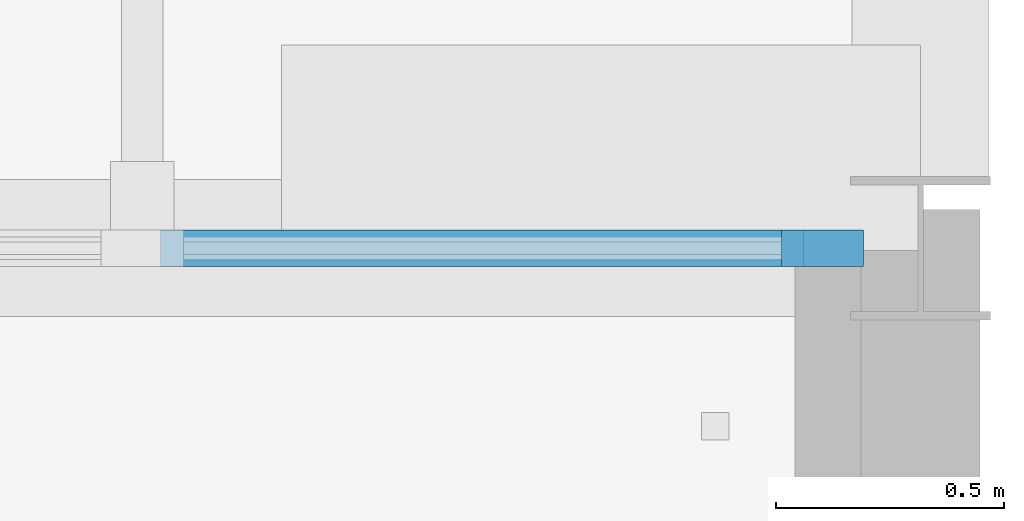
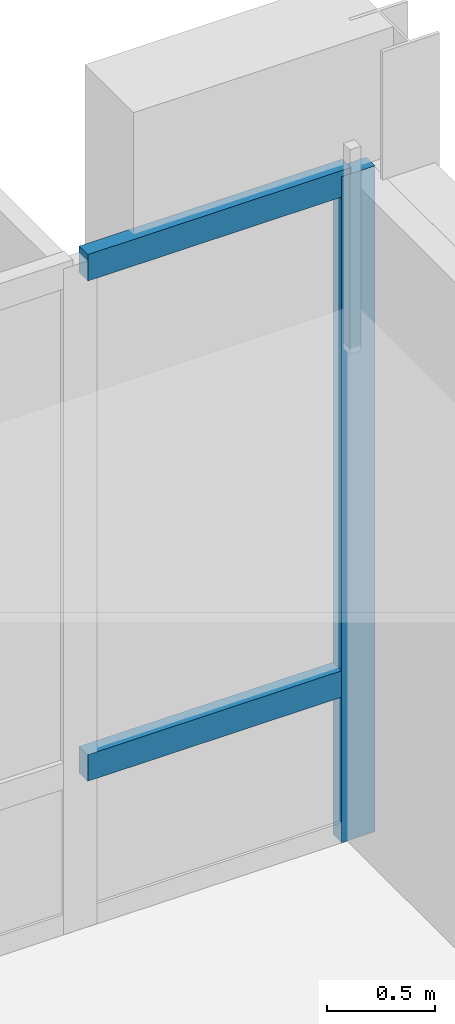
# One storey, part 37 of 110: 3 members, 1 element without a shape of its own.
"""IFC4 building model written with IfcOpenShell, lengths in metres."""

import ifcopenshell
import ifcopenshell.guid

model = None  # the IFC model being written
_history = None  # IfcOwnerHistory: only IFC2X3 demands one
_inside = {}  # id of a spatial element -> (the spatial element, [elements in it])
_under = {}  # id of a project, library or spatial element -> (it, [spatial elements below it])
_declared = {}  # id of a project -> (the project, [libraries it declares])
_typed = {}  # id of a type object -> (the type object, [elements of that type])
_made_of = {}  # id of a material, layer set ... -> (it, [elements and type objects made of it])


def new_model(schema):
    """Start an empty IFC model of exactly this schema.

    Asked for "IFC4X3", IfcOpenShell would pick the latest addendum, in which some entities
    have other attributes; the version numbers below select the first issue.
    IFC2X3 requires an IfcOwnerHistory on every rooted entity: one is made here for all.
    """
    global model, _history
    if schema == "IFC4X3":
        model = ifcopenshell.file(schema_version=(4, 3, 0, 0))
    else:
        model = ifcopenshell.file(schema=schema)
    _inside.clear()
    _under.clear()
    _declared.clear()
    _typed.clear()
    _made_of.clear()
    _history = None
    if model.schema == "IFC2X3":
        org = make("IfcOrganization", Name="unknown")
        user = make(
            "IfcPersonAndOrganization",
            ThePerson=make("IfcPerson", FamilyName="unknown"),
            TheOrganization=org,
        )
        app = make(
            "IfcApplication",
            ApplicationDeveloper=org,
            Version="unknown",
            ApplicationFullName="unknown",
            ApplicationIdentifier="unknown",
        )
        _history = make(
            "IfcOwnerHistory",
            OwningUser=user,
            OwningApplication=app,
            ChangeAction="ADDED",
            CreationDate=0,
        )
    return model


def make(cls, **values):
    """One entity of the class cls with the attributes given. An attribute that is None is left unset."""
    return model.create_entity(
        cls, **{name: value for name, value in values.items() if value is not None}
    )


def rooted(cls, **values):
    """An entity with a GlobalId (a new one), such as an element, a storey or a relation."""
    return make(cls, GlobalId=ifcopenshell.guid.new(), OwnerHistory=_history, **values)


def si_unit(unit_type, name, prefix=None):
    """IfcSIUnit, for example si_unit("LENGTHUNIT", "METRE", prefix="MILLI")."""
    return make("IfcSIUnit", UnitType=unit_type, Prefix=prefix, Name=name)


def assignment(units):
    """IfcUnitAssignment: the units of a project."""
    return None if units is None else make("IfcUnitAssignment", Units=units)


def point(xyz):
    """IfcCartesianPoint."""
    return None if xyz is None else make("IfcCartesianPoint", Coordinates=xyz)


def direction(xyz):
    """IfcDirection."""
    return None if xyz is None else make("IfcDirection", DirectionRatios=xyz)


def frame(location, z_axis=None, x_axis=None):
    """IfcAxis2Placement3D, a coordinate frame: its origin and axes. An axis left out is left unset."""
    return make(
        "IfcAxis2Placement3D",
        Location=point(location),
        Axis=direction(z_axis),
        RefDirection=direction(x_axis),
    )


def frame_2d(location, x_axis=None):
    """IfcAxis2Placement2D, a coordinate frame in the plane: its origin and x axis."""
    return make(
        "IfcAxis2Placement2D", Location=point(location), RefDirection=direction(x_axis)
    )


def origin():
    """The frame at (0, 0, 0) with its axes left unset."""
    return frame((0.0, 0.0, 0.0))


def origin_2d():
    """The frame at (0, 0) in the plane with its x axis left unset."""
    return frame_2d((0.0, 0.0))


def place(relative_to, where):
    """IfcLocalPlacement: puts the frame where relative to a parent placement (None: the world)."""
    return make(
        "IfcLocalPlacement", PlacementRelTo=relative_to, RelativePlacement=where
    )


def context(
    kind, dimensions, precision=None, world=None, true_north=None, identifier=None
):
    """IfcGeometricRepresentationContext, for example the 3D "Model" context."""
    return make(
        "IfcGeometricRepresentationContext",
        ContextIdentifier=identifier,
        ContextType=kind,
        CoordinateSpaceDimension=dimensions,
        Precision=precision,
        WorldCoordinateSystem=world,
        TrueNorth=true_north,
    )


def subcontext(parent, identifier, kind, view, scale=None):
    """IfcGeometricRepresentationSubContext, for example "Body" below "Model"."""
    return make(
        "IfcGeometricRepresentationSubContext",
        ContextIdentifier=identifier,
        ContextType=kind,
        ParentContext=parent,
        TargetScale=scale,
        TargetView=view,
    )


def project(units=None, contexts=None):
    """IfcProject with its units and contexts."""
    return rooted(
        "IfcProject",
        Name="project",
        RepresentationContexts=contexts,
        UnitsInContext=assignment(units),
    )


def spatial(cls, under=None, at=None, **own):
    """A site, building, storey or space (cls), placed at a placement, below another one or the project."""
    s = rooted(cls, ObjectPlacement=at, **own)
    if under is not None:
        _under.setdefault(under.id(), (under, []))[1].append(s)
    return s


def profile(cls, at=None, kind="AREA", **sizes):
    """A parametric profile (cls). Its sizes go by their IFC names, for example OverallWidth=200.0."""
    return make(cls, ProfileType=kind, Position=at, **sizes)


def rectangle(**sizes):
    """IfcRectangleProfileDef."""
    return profile("IfcRectangleProfileDef", **sizes)


def extrude(swept, where, along, depth):
    """IfcExtrudedAreaSolid: the profile swept, set in the frame where, extruded along a direction by depth."""
    return make(
        "IfcExtrudedAreaSolid",
        SweptArea=swept,
        Position=where,
        ExtrudedDirection=direction(along),
        Depth=depth,
    )


def shape(context_of_items, identifier, shape_type, items):
    """IfcShapeRepresentation: the items that make up one representation, for example the "Body"."""
    return make(
        "IfcShapeRepresentation",
        ContextOfItems=context_of_items,
        RepresentationIdentifier=identifier,
        RepresentationType=shape_type,
        Items=items,
    )


def material(Name=None, Category=None):
    """IfcMaterial."""
    return make("IfcMaterial", Name=Name, Category=Category)


def material_profile(
    of_material, cross_section, Name=None, Category=None, Priority=None
):
    """IfcMaterialProfile: a cross section and its material."""
    return make(
        "IfcMaterialProfile",
        Name=Name,
        Material=of_material,
        Profile=cross_section,
        Priority=Priority,
        Category=Category,
    )


def profile_set(profiles, Name=None, composite=None):
    """IfcMaterialProfileSet."""
    return make(
        "IfcMaterialProfileSet",
        Name=Name,
        MaterialProfiles=profiles,
        CompositeProfile=composite,
    )


def made_of(thing, what):
    """Note that an element or type object is made of a material, layer set ...; save() writes the relation."""
    if what is not None:
        _made_of.setdefault(what.id(), (what, []))[1].append(thing)
    return thing


def type_object(cls, material=None, **own):
    """A type object (cls), such as IfcWallType, which elements share."""
    return made_of(rooted(cls, **own), material)


def element(
    cls,
    number,
    at=None,
    inside=None,
    cuts=None,
    type_object=None,
    material=None,
    context=None,
    identifier="Body",
    shape_type=None,
    held_by="IfcProductDefinitionShape",
    body=None,
    shapes=None,
    **own,
):
    """One element of the class cls, such as IfcWall. Its Tag is "e" and its number.

    at: its placement. inside: the storey or other place that contains it. cuts: it is an
    opening in that element (IfcRelVoidsElement). A single representation is given by context,
    identifier, shape_type and body (its items); several are given by shapes. held_by: the class
    of the entity that holds the representations. save() writes the other relations.
    """
    e = rooted(cls, Tag="e%d" % number, ObjectPlacement=at, **own)
    if body is not None:
        shapes = [shape(context, identifier, shape_type, body)]
    if shapes is not None:
        e.Representation = make(held_by, Representations=shapes)
    if inside is not None:
        _inside.setdefault(inside.id(), (inside, []))[1].append(e)
    if cuts is not None:
        rooted(
            "IfcRelVoidsElement", RelatingBuildingElement=cuts, RelatedOpeningElement=e
        )
    if type_object is not None:
        _typed.setdefault(type_object.id(), (type_object, []))[1].append(e)
    return made_of(e, material)


def aggregate(whole, parts):
    """IfcRelAggregates: a whole, such as a stair, and the parts it consists of."""
    return rooted("IfcRelAggregates", RelatingObject=whole, RelatedObjects=parts)


def save(model, path):
    """Write the relations noted so far, then the file.

    IfcRelAggregates (storeys below a building ...), IfcRelContainedInSpatialStructure (elements
    in a storey), IfcRelDefinesByType, IfcRelAssociatesMaterial and IfcRelDeclares: one each for
    every whole, place, type object, material and project.
    """
    for whole, parts in _under.values():
        aggregate(whole, parts)
    for where, things in _inside.values():
        rooted(
            "IfcRelContainedInSpatialStructure",
            RelatedElements=things,
            RelatingStructure=where,
        )
    for kind, things in _typed.values():
        rooted("IfcRelDefinesByType", RelatedObjects=things, RelatingType=kind)
    for what, things in _made_of.values():
        rooted("IfcRelAssociatesMaterial", RelatedObjects=things, RelatingMaterial=what)
    for by, libraries in _declared.values():
        rooted("IfcRelDeclares", RelatingContext=by, RelatedDefinitions=libraries)
    model.write(path)


model = new_model("IFC4")

# Units and contexts
model_context = context("Model", 3, precision=1e-05, world=origin(), true_north=direction((0.0, 1.0)))
body_context = subcontext(model_context, "Body", "Model", "MODEL_VIEW")
ifc_project = project(units=[si_unit("LENGTHUNIT", "METRE"), si_unit("AREAUNIT", "SQUARE_METRE"), si_unit("VOLUMEUNIT", "CUBIC_METRE"), si_unit("PLANEANGLEUNIT", "RADIAN"), si_unit("MASSUNIT", "GRAM", prefix="KILO")], contexts=[model_context])

# Site, building, storey
site_placement = place(None, origin())
site = spatial("IfcSite", under=ifc_project, at=site_placement, CompositionType="ELEMENT")
building_placement = place(site_placement, origin())
building = spatial("IfcBuilding", under=site, at=building_placement, Name="Dunescarp Central Library", CompositionType="ELEMENT")
storey_placement = place(building_placement, frame((0.0, 0.0, 9.60009765625)))
storey = spatial("IfcBuildingStorey", under=building, at=storey_placement, Name="L02", CompositionType="ELEMENT", Elevation=9.60009765625)

# Curtain wall, members
ifc_material = material(Name="Marine-grade anodised aluminium 6063-T6", Category="aluminium")
curtain_wall_type = type_object("IfcCurtainWallType", Name="ARC-CW-STICK", PredefinedType="NOTDEFINED", material=ifc_material)
curtain_wall_placement = place(storey_placement, origin())
curtain_wall = element("IfcCurtainWall", 1, at=curtain_wall_placement, inside=storey, type_object=curtain_wall_type, Name="L02 curtain wall CW-V3-097", PredefinedType="NOTDEFINED")
ifc_material_profile_1 = material_profile(ifc_material, rectangle(XDim=0.080078125, YDim=0.179931640625, at=origin_2d()), Name="AL 80x180")
ifc_profile_set_1 = profile_set([ifc_material_profile_1], Name="Marine-grade anodised aluminium 6063-T6")
member_type_1 = type_object("IfcMemberType", Name="ARC-CWM-180", PredefinedType="MULLION", material=ifc_profile_set_1)
member_1_placement = place(storey_placement, frame((124.5849609375, 33.60009765625, 0.0), z_axis=(0.0, 0.0, 1.0), x_axis=(0.0, 1.0, 0.0)))
member_1 = element("IfcMember", 2, at=member_1_placement, type_object=member_type_1, Name="CW-V3-097 mullion 6", PredefinedType="MULLION", context=body_context, shape_type="SweptSolid", body=[
    extrude(rectangle(XDim=0.080078125, YDim=0.179931640625, at=origin_2d()), origin(), (0.0, 0.0, 1.0), 3.77490234375),
])
ifc_material_profile_2 = material_profile(ifc_material, rectangle(XDim=0.080078125, YDim=0.14990234375, at=origin_2d()), Name="AL 80x150")
ifc_profile_set_2 = profile_set([ifc_material_profile_2], Name="Marine-grade anodised aluminium 6063-T6")
member_type_2 = type_object("IfcMemberType", Name="ARC-CWT-150", PredefinedType="USERDEFINED", material=ifc_profile_set_2)
member_2_placement = place(storey_placement, frame((123.135009765625, 33.60009765625, 0.89990234375), z_axis=(1.0, 0.0, 0.0), x_axis=(0.0, 1.0, 0.0)))
member_2 = element("IfcMember", 3, at=member_2_placement, type_object=member_type_2, Name="CW-V3-097 transom 5.2", ObjectType="TRANSOM", PredefinedType="USERDEFINED", context=body_context, shape_type="SweptSolid", body=[
    extrude(rectangle(XDim=0.080078125, YDim=0.14990234375, at=origin_2d()), origin(), (0.0, 0.0, 1.0), 1.409912109375),
])
member_3_placement = place(storey_placement, frame((123.135009765625, 33.60009765625, 3.73486328125), z_axis=(1.0, 0.0, 0.0), x_axis=(0.0, 1.0, 0.0)))
member_3 = element("IfcMember", 4, at=member_3_placement, type_object=member_type_2, Name="CW-V3-097 transom 5.3", ObjectType="TRANSOM", PredefinedType="USERDEFINED", context=body_context, shape_type="SweptSolid", body=[
    extrude(rectangle(XDim=0.080078125, YDim=0.14990234375, at=origin_2d()), origin(), (0.0, 0.0, 1.0), 1.409912109375),
])
aggregate(curtain_wall, [member_1, member_2, member_3])

save(model, "model.ifc")
